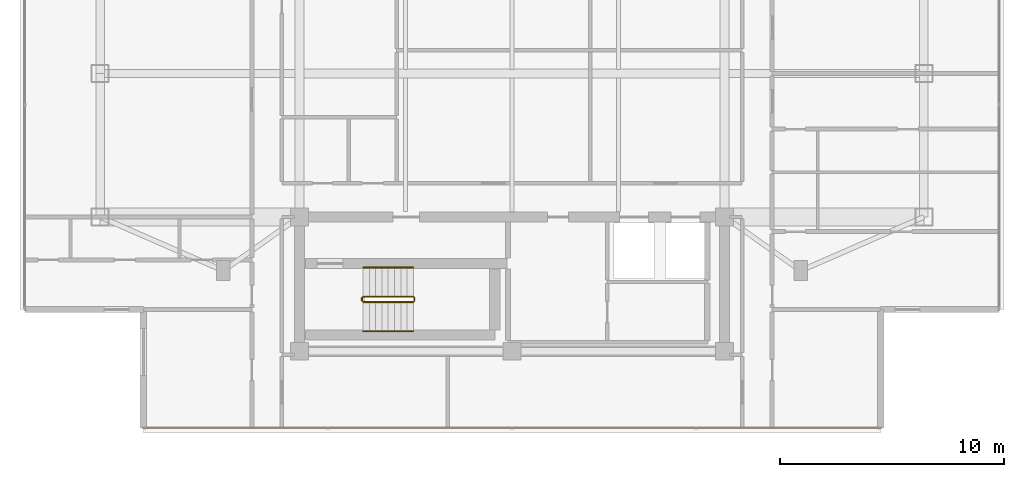
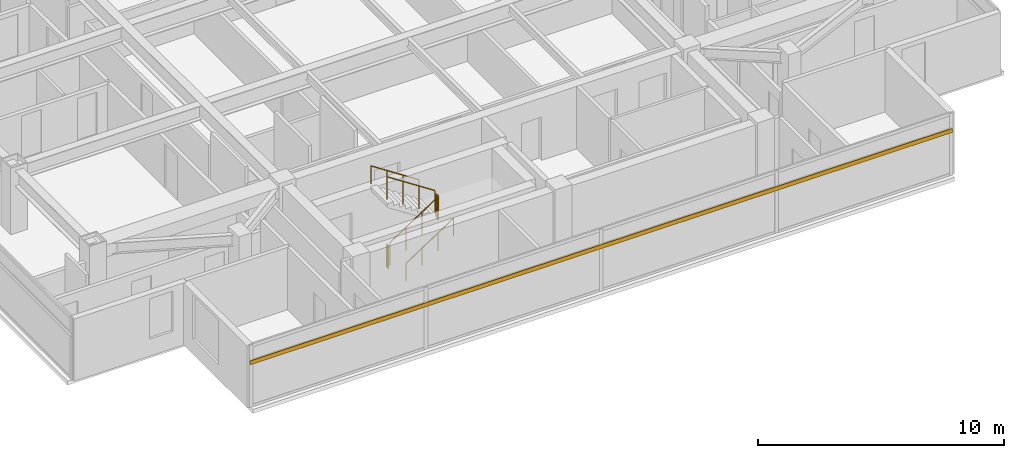
# One storey, part 12 of 14: 6 railings, 1 shading device.
"""IFC4 building model written with IfcOpenShell, lengths in metres."""

from ifc_helpers import new_model, si_unit, direction, frame, origin, origin_2d, place, context, subcontext, project, spatial, rectangle, circle, extrude, material, material_profile, profile_set, type_object, element, save


model = new_model("IFC4")

# Units and contexts
model_context = context("Model", 3, precision=1e-05, world=origin(), true_north=direction((0.0, 1.0)))
body_context = subcontext(model_context, "Body", "Model", "MODEL_VIEW")
ifc_project = project(units=[si_unit("LENGTHUNIT", "METRE"), si_unit("AREAUNIT", "SQUARE_METRE"), si_unit("VOLUMEUNIT", "CUBIC_METRE"), si_unit("PLANEANGLEUNIT", "RADIAN"), si_unit("MASSUNIT", "GRAM", prefix="KILO")], contexts=[model_context])

# Site, building, storey
site_placement = place(None, origin())
site = spatial("IfcSite", under=ifc_project, at=site_placement, CompositionType="ELEMENT")
building_placement = place(site_placement, origin())
building = spatial("IfcBuilding", under=site, at=building_placement, Name="Mirazonda Arch Towers", CompositionType="ELEMENT")
storey_placement = place(building_placement, frame((0.0, 0.0, 239.199951171875)))
storey = spatial("IfcBuildingStorey", under=building, at=storey_placement, Name="L68", CompositionType="ELEMENT", Elevation=239.199951171875)

# Shading device
ifc_material_1 = material(Name="Kiln-Fired Architectural Terracotta", Category="masonry")
ifc_material_profile = material_profile(ifc_material_1, rectangle(XDim=0.10009765625, YDim=0.199951171875, at=origin_2d()), Name="TERRA-BAG-100x200")
ifc_profile_set = profile_set([ifc_material_profile], Name="Kiln-Fired Architectural Terracotta")
shading_device_type = type_object("IfcShadingDeviceType", Name="BAGUETTE-2", PredefinedType="USERDEFINED", material=ifc_profile_set)
shading_device_placement = place(storey_placement, frame((36.969970703125, 8.971923828125, 2.217529296875), z_axis=(-1.0, 0.0, 0.0), x_axis=(0.0, -1.0, 0.0)))
element("IfcShadingDevice", 1, at=shading_device_placement, inside=storey, type_object=shading_device_type, Name="L68 Glazed Terracotta Sun-Screen Baguette CW-L68-T1-S", ObjectType="BAGUETTE", PredefinedType="USERDEFINED", context=body_context, shape_type="SweptSolid", body=[
    extrude(rectangle(XDim=0.10009765625, YDim=0.199951171875, at=origin_2d()), origin(), (0.0, 0.0, 1.0), 32.93994140625),
])

# Railings
ifc_material_2 = material(Name="Architectural Brushed Steel S355", Category="steel")
railing_type_1 = type_object("IfcRailingType", Name="GUARD-STAIR-1120", PredefinedType="GUARDRAIL", material=ifc_material_2)
railing_1_placement = place(storey_placement, frame((13.85009765625, 14.60009765625, 0.183349609375)))
element("IfcRailing", 2, at=railing_1_placement, inside=storey, type_object=railing_type_1, Name="L68 ST-T1S stair guard 1", PredefinedType="GUARDRAIL", context=body_context, shape_type="SweptSolid", body=[
    extrude(circle(Radius=0.02392578125, at=origin_2d()), frame((0.0, 0.0, 1.1259765625), z_axis=(0.836595146698, 0.0, 0.547821650285), x_axis=(0.0, 1.0, 0.0)), (0.0, 0.0, 1.0), 2.677490234375),
    extrude(circle(Radius=0.02099609375, at=origin_2d()), origin(), (0.0, 0.0, 1.0), 1.101806640625),
    extrude(circle(Radius=0.02099609375, at=origin_2d()), frame((0.74658203125, 0.0, 0.489013671875)), (0.0, 0.0, 1.0), 1.101806640625),
    extrude(circle(Radius=0.02099609375, at=origin_2d()), frame((1.493408203125, 0.0, 0.977783203125)), (0.0, 0.0, 1.0), 1.101806640625),
    extrude(circle(Radius=0.02099609375, at=origin_2d()), frame((2.239990234375, 0.0, 1.466796875)), (0.0, 0.0, 1.0), 1.101806640625),
])
railing_2_placement = place(storey_placement, frame((16.139892578125, 14.64990234375, 1.650146484375)))
element("IfcRailing", 3, at=railing_2_placement, inside=storey, type_object=railing_type_1, Name="L68 ST-T1S stair guard 2", PredefinedType="GUARDRAIL", context=body_context, shape_type="SweptSolid", body=[
    extrude(circle(Radius=0.02392578125, at=origin_2d()), frame((0.0, 0.0, 1.1259765625), z_axis=(0.0, 1.0, 0.0), x_axis=(-1.0, 0.0, 0.0)), (0.0, 0.0, 1.0), 0.14013671875),
    extrude(circle(Radius=0.02099609375, at=origin_2d()), origin(), (0.0, 0.0, 1.0), 1.101806640625),
    extrude(circle(Radius=0.02099609375, at=origin_2d()), frame((0.0, 0.14013671875, 0.0)), (0.0, 0.0, 1.0), 1.101806640625),
])
railing_3_placement = place(storey_placement, frame((16.090087890625, 14.840087890625, 1.83349609375)))
element("IfcRailing", 4, at=railing_3_placement, inside=storey, type_object=railing_type_1, Name="L68 ST-T1S stair guard 3", PredefinedType="GUARDRAIL", context=body_context, shape_type="SweptSolid", body=[
    extrude(circle(Radius=0.02392578125, at=origin_2d()), frame((0.0, 0.0, 1.1259765625), z_axis=(-0.836636935527, 0.0, 0.547757827979), x_axis=(0.0, -1.0, 0.0)), (0.0, 0.0, 1.0), 2.677490234375),
    extrude(circle(Radius=0.02099609375, at=origin_2d()), origin(), (0.0, 0.0, 1.0), 1.101806640625),
    extrude(circle(Radius=0.02099609375, at=origin_2d()), frame((-0.74658203125, 0.0, 0.48876953125)), (0.0, 0.0, 1.0), 1.101806640625),
    extrude(circle(Radius=0.02099609375, at=origin_2d()), frame((-1.493408203125, 0.0, 0.977783203125)), (0.0, 0.0, 1.0), 1.101806640625),
    extrude(circle(Radius=0.02099609375, at=origin_2d()), frame((-2.239990234375, 0.0, 1.466552734375)), (0.0, 0.0, 1.0), 1.101806640625),
])
railing_4_placement = place(storey_placement, frame((13.800048828125, 14.64990234375, 0.0)))
element("IfcRailing", 5, at=railing_4_placement, inside=storey, type_object=railing_type_1, Name="L68 ST-T1S stair guard 4", PredefinedType="GUARDRAIL", context=body_context, shape_type="SweptSolid", body=[
    extrude(circle(Radius=0.02392578125, at=origin_2d()), frame((0.0, 0.0, 1.1259765625), z_axis=(0.0, 1.0, 0.0), x_axis=(-1.0, 0.0, 0.0)), (0.0, 0.0, 1.0), 0.14013671875),
    extrude(circle(Radius=0.02099609375, at=origin_2d()), origin(), (0.0, 0.0, 1.0), 1.101806640625),
    extrude(circle(Radius=0.02099609375, at=origin_2d()), frame((0.0, 0.14013671875, 0.0)), (0.0, 0.0, 1.0), 1.101806640625),
])
railing_type_2 = type_object("IfcRailingType", Name="HANDRAIL-915", PredefinedType="HANDRAIL", material=ifc_material_2)
railing_5_placement = place(storey_placement, frame((13.85009765625, 13.300048828125, 0.183349609375)))
element("IfcRailing", 6, at=railing_5_placement, inside=storey, type_object=railing_type_2, Name="L68 ST-T1S stair handrail 1", PredefinedType="HANDRAIL", context=body_context, shape_type="SweptSolid", body=[
    extrude(circle(Radius=0.02392578125, at=origin_2d()), frame((0.0, 0.0, 0.8759765625), z_axis=(0.836595146698, 0.0, 0.547821650285), x_axis=(0.0, 1.0, 0.0)), (0.0, 0.0, 1.0), 2.677490234375),
    extrude(circle(Radius=0.02099609375, at=origin_2d()), origin(), (0.0, 0.0, 1.0), 0.851806640625),
    extrude(circle(Radius=0.02099609375, at=origin_2d()), frame((0.74658203125, 0.0, 0.489013671875)), (0.0, 0.0, 1.0), 0.851806640625),
    extrude(circle(Radius=0.02099609375, at=origin_2d()), frame((1.493408203125, 0.0, 0.977783203125)), (0.0, 0.0, 1.0), 0.851806640625),
    extrude(circle(Radius=0.02099609375, at=origin_2d()), frame((2.239990234375, 0.0, 1.466796875)), (0.0, 0.0, 1.0), 0.851806640625),
])
railing_6_placement = place(storey_placement, frame((16.090087890625, 16.139892578125, 1.83349609375)))
element("IfcRailing", 7, at=railing_6_placement, inside=storey, type_object=railing_type_2, Name="L68 ST-T1S stair handrail 2", PredefinedType="HANDRAIL", context=body_context, shape_type="SweptSolid", body=[
    extrude(circle(Radius=0.02392578125, at=origin_2d()), frame((0.0, 0.0, 0.8759765625), z_axis=(-0.836636935527, 0.0, 0.547757827979), x_axis=(0.0, -1.0, 0.0)), (0.0, 0.0, 1.0), 2.677490234375),
    extrude(circle(Radius=0.02099609375, at=origin_2d()), origin(), (0.0, 0.0, 1.0), 0.851806640625),
    extrude(circle(Radius=0.02099609375, at=origin_2d()), frame((-0.74658203125, 0.0, 0.48876953125)), (0.0, 0.0, 1.0), 0.851806640625),
    extrude(circle(Radius=0.02099609375, at=origin_2d()), frame((-1.493408203125, 0.0, 0.977783203125)), (0.0, 0.0, 1.0), 0.851806640625),
    extrude(circle(Radius=0.02099609375, at=origin_2d()), frame((-2.239990234375, 0.0, 1.466552734375)), (0.0, 0.0, 1.0), 0.851806640625),
])

save(model, "model.ifc")
